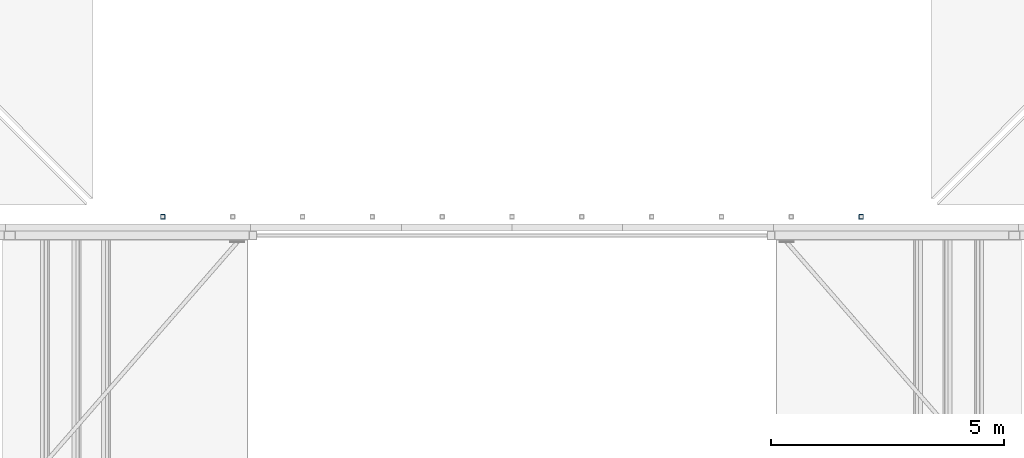
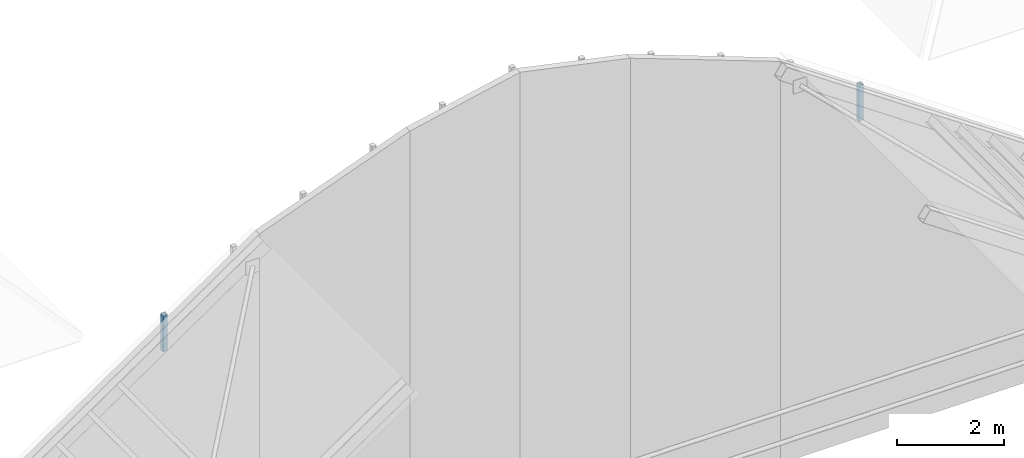
# One storey, part 13 of 43: 2 members.
"""IFC4 building model written with IfcOpenShell, lengths in metres."""

from ifc_helpers import new_model, si_unit, direction, frame, origin, origin_2d, place, context, subcontext, project, spatial, hollow_rectangle, extrude, material, material_profile, profile_set, type_object, element, save


model = new_model("IFC4")

# Units and contexts
model_context = context("Model", 3, precision=1e-05, world=origin(), true_north=direction((0.0, 1.0)))
body_context = subcontext(model_context, "Body", "Model", "MODEL_VIEW")
ifc_project = project(units=[si_unit("LENGTHUNIT", "METRE"), si_unit("AREAUNIT", "SQUARE_METRE"), si_unit("VOLUMEUNIT", "CUBIC_METRE"), si_unit("PLANEANGLEUNIT", "RADIAN"), si_unit("MASSUNIT", "GRAM", prefix="KILO")], contexts=[model_context])

# Site, building, storey
site_placement = place(None, origin())
site = spatial("IfcSite", under=ifc_project, at=site_placement, CompositionType="ELEMENT")
building_placement = place(site_placement, origin())
building = spatial("IfcBuilding", under=site, at=building_placement, Name="Saffron Lane Theatres", CompositionType="ELEMENT")
storey_placement = place(building_placement, frame((0.0, 0.0, 23.0)))
storey = spatial("IfcBuildingStorey", under=building, at=storey_placement, Name="Roof", CompositionType="ELEMENT", Elevation=23.0)

# Members
ifc_material = material(Name="Steel Grade 350", Category="steel")
ifc_material_profile = material_profile(ifc_material, hollow_rectangle(XDim=0.10009765625, YDim=0.10009765625, WallThickness=0.006103515625, InnerFilletRadius=0.0029296875, OuterFilletRadius=0.009033203125, at=origin_2d()))
ifc_profile_set = profile_set([ifc_material_profile], Name="Steel Grade 350")
member_type = type_object("IfcMemberType", Name="ST-LANTERN POST 100x100x6 SHS", PredefinedType="POST", material=ifc_profile_set)
for number, where, z_axis, x_axis, name in (
    (1, (25.5, 89.75, 5.0), (0.0, 0.0, 1.0), (1.0, 0.0, 0.0), "VL1"),
    (2, (40.5, 89.75, 5.0), (0.0, 0.0, 1.0), (1.0, 0.0, 0.0), "VL11"),
):
    element("IfcMember", number, at=place(storey_placement, frame(where, z_axis=z_axis, x_axis=x_axis)), inside=storey, type_object=member_type, Name=name, PredefinedType="POST", context=body_context, shape_type="SweptSolid", body=[
        extrude(hollow_rectangle(XDim=0.10009765625, YDim=0.10009765625, WallThickness=0.006103515625, InnerFilletRadius=0.0029296875, OuterFilletRadius=0.009033203125, at=origin_2d()), origin(), (0.0, 0.0, 1.0), 0.818603515625),
    ])

save(model, "model.ifc")
